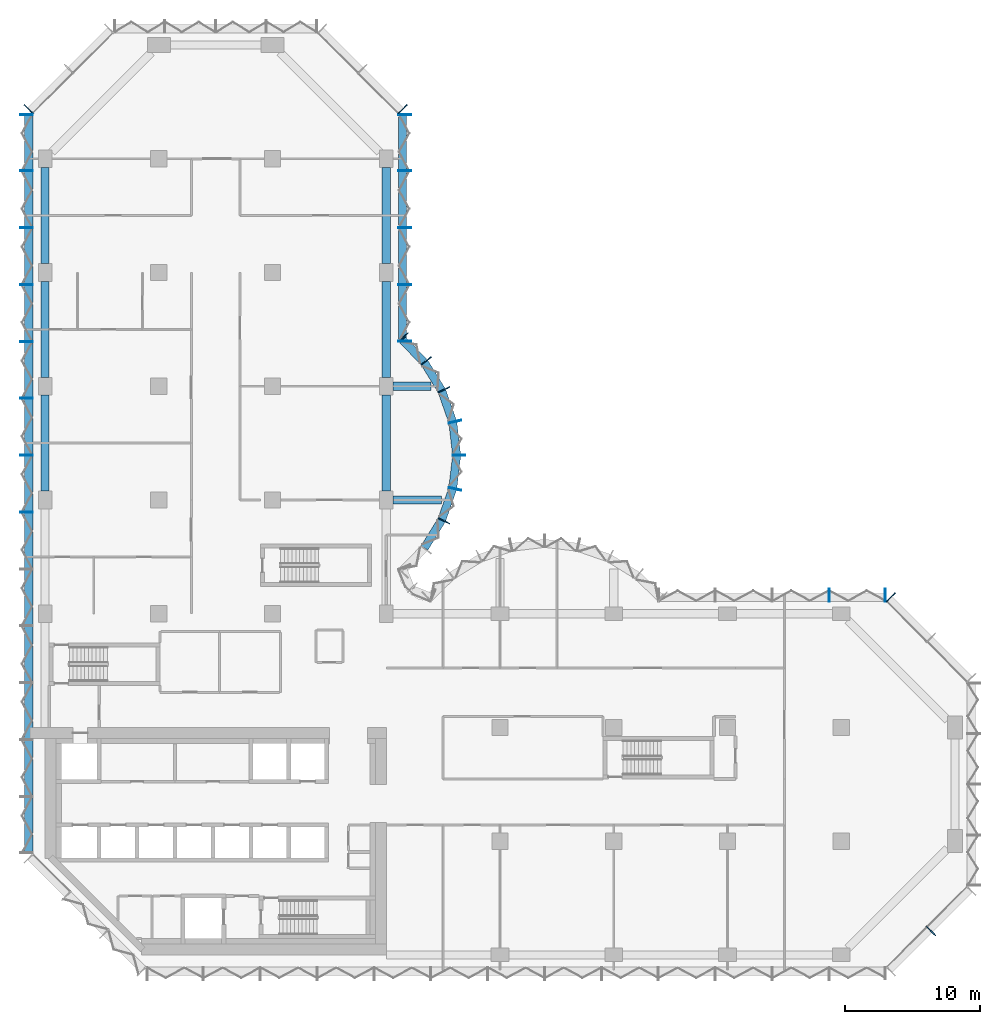
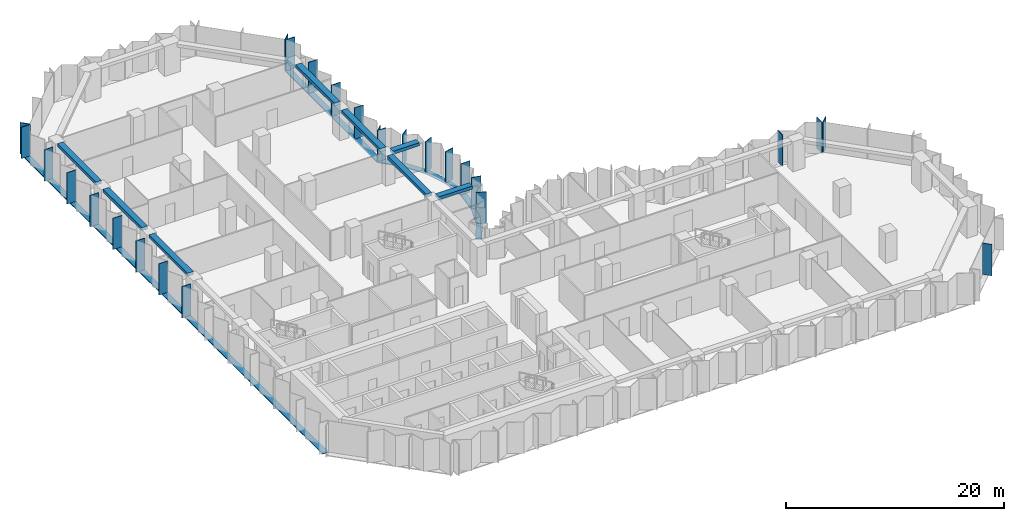
# One storey, part 3 of 13: 35 members, 8 beams, 8 elements without a shape of their own.
"""IFC4 building model written with IfcOpenShell, lengths in metres."""

from ifc_helpers import new_model, si_unit, direction, frame, origin, origin_2d, place, context, subcontext, project, spatial, rectangle, extrude, material, material_profile, profile_set, type_object, element, aggregate, save


model = new_model("IFC4")

# Units and contexts
model_context = context("Model", 3, precision=1e-05, world=origin(), true_north=direction((0.0, 1.0)))
body_context = subcontext(model_context, "Body", "Model", "MODEL_VIEW")
ifc_project = project(units=[si_unit("LENGTHUNIT", "METRE"), si_unit("AREAUNIT", "SQUARE_METRE"), si_unit("VOLUMEUNIT", "CUBIC_METRE"), si_unit("PLANEANGLEUNIT", "RADIAN"), si_unit("MASSUNIT", "GRAM", prefix="KILO")], contexts=[model_context])

# Site, building, storey
site_placement = place(None, origin())
site = spatial("IfcSite", under=ifc_project, at=site_placement, CompositionType="ELEMENT")
building_placement = place(site_placement, origin())
building = spatial("IfcBuilding", under=site, at=building_placement, Name="Brevane Broadcast Tower", CompositionType="ELEMENT")
storey_placement = place(building_placement, frame((0.0, 0.0, 113.300048828125)))
storey = spatial("IfcBuildingStorey", under=building, at=storey_placement, Name="L27", CompositionType="ELEMENT", Elevation=113.300048828125)

# Curtain wall, member
ifc_material_1 = material(Name="Aluminium 6063-T6 bronze anodised", Category="aluminium")
curtain_wall_type = type_object("IfcCurtainWallType", Name="CW-1 curtain wall", PredefinedType="NOTDEFINED", material=ifc_material_1)
curtain_wall_1_placement = place(storey_placement, origin())
curtain_wall_1 = element("IfcCurtainWall", 1, at=curtain_wall_1_placement, inside=storey, type_object=curtain_wall_type, Name="CW-1 typical tilted unit L27 south-east chamfer", PredefinedType="NOTDEFINED")
ifc_material_profile_1 = material_profile(ifc_material_1, rectangle(XDim=0.949951171875, YDim=0.070068359375, at=origin_2d()), Name="RECT 70x950")
ifc_profile_set_1 = profile_set([ifc_material_profile_1], Name="Aluminium 6063-T6 bronze anodised")
member_type_1 = type_object("IfcMemberType", Name="CW-1 mullion 70x950", PredefinedType="MULLION", material=ifc_profile_set_1)
member_1_placement = place(storey_placement, frame((65.435791015625, 1.76416015625, -0.150146484375), z_axis=(0.0, 0.0, 1.0), x_axis=(-0.707106781187, 0.707106781187, 0.0)))
member_1 = element("IfcMember", 2, at=member_1_placement, type_object=member_type_1, Name="CW-1 mullion", PredefinedType="MULLION", context=body_context, shape_type="SweptSolid", body=[
    extrude(rectangle(XDim=0.949951171875, YDim=0.070068359375, at=origin_2d()), origin(), (0.0, 0.0, 1.0), 3.5),
])
aggregate(curtain_wall_1, [member_1])

curtain_wall_2_placement = place(storey_placement, origin())
curtain_wall_2 = element("IfcCurtainWall", 3, at=curtain_wall_2_placement, inside=storey, type_object=curtain_wall_type, Name="CW-1 typical tilted unit L27 north-east chamfer", PredefinedType="NOTDEFINED")
member_2_placement = place(storey_placement, frame((62.460693359375, 26.4111328125, -0.150146484375), z_axis=(0.0, 0.0, 1.0), x_axis=(-0.707106781187, -0.707106781187, 0.0)))
member_2 = element("IfcMember", 4, at=member_2_placement, type_object=member_type_1, Name="CW-1 mullion", PredefinedType="MULLION", context=body_context, shape_type="SweptSolid", body=[
    extrude(rectangle(XDim=0.949951171875, YDim=0.070068359375, at=origin_2d()), origin(), (0.0, 0.0, 1.0), 3.5),
])
aggregate(curtain_wall_2, [member_2])

# Curtain wall, members
curtain_wall_3_placement = place(storey_placement, origin())
curtain_wall_3 = element("IfcCurtainWall", 5, at=curtain_wall_3_placement, inside=storey, type_object=curtain_wall_type, Name="CW-1 typical tilted unit L27 east arm north face", PredefinedType="NOTDEFINED")
member_3_placement = place(storey_placement, frame((62.06494140625, 26.574951171875, -0.150146484375), z_axis=(0.0, 0.0, 1.0), x_axis=(0.0, -1.0, 0.0)))
member_3 = element("IfcMember", 6, at=member_3_placement, type_object=member_type_1, Name="CW-1 mullion", PredefinedType="MULLION", context=body_context, shape_type="SweptSolid", body=[
    extrude(rectangle(XDim=0.949951171875, YDim=0.070068359375, at=origin_2d()), origin(), (0.0, 0.0, 1.0), 3.5),
])
member_4_placement = place(storey_placement, frame((57.89990234375, 26.574951171875, -0.150146484375), z_axis=(0.0, 0.0, 1.0), x_axis=(0.0, -1.0, 0.0)))
member_4 = element("IfcMember", 7, at=member_4_placement, type_object=member_type_1, Name="CW-1 mullion", PredefinedType="MULLION", context=body_context, shape_type="SweptSolid", body=[
    extrude(rectangle(XDim=0.949951171875, YDim=0.070068359375, at=origin_2d()), origin(), (0.0, 0.0, 1.0), 3.5),
])
aggregate(curtain_wall_3, [member_3, member_4])

curtain_wall_4_placement = place(storey_placement, origin())
curtain_wall_4 = element("IfcCurtainWall", 8, at=curtain_wall_4_placement, inside=storey, type_object=curtain_wall_type, Name="CW-1 typical tilted unit L27 north bow", PredefinedType="NOTDEFINED")
member_5_placement = place(storey_placement, frame((29.4580078125, 32.05322265625, -0.150146484375), z_axis=(0.0, 0.0, 1.0), x_axis=(-0.902860508933, 0.429933601163, 0.0)))
member_5 = element("IfcMember", 9, at=member_5_placement, type_object=member_type_1, Name="CW-1 mullion", PredefinedType="MULLION", context=body_context, shape_type="SweptSolid", body=[
    extrude(rectangle(XDim=0.949951171875, YDim=0.070068359375, at=origin_2d()), origin(), (0.0, 0.0, 1.0), 3.5),
])
member_6_placement = place(storey_placement, frame((30.28076171875, 34.411865234375, -0.150146484375), z_axis=(0.0, 0.0, 1.0), x_axis=(-0.974403430594, 0.224806482215, 0.0)))
member_6 = element("IfcMember", 10, at=member_6_placement, type_object=member_type_1, Name="CW-1 mullion", PredefinedType="MULLION", context=body_context, shape_type="SweptSolid", body=[
    extrude(rectangle(XDim=0.949951171875, YDim=0.070068359375, at=origin_2d()), origin(), (0.0, 0.0, 1.0), 3.5),
])
member_7_placement = place(storey_placement, frame((30.574951171875, 36.89990234375, -0.150146484375), z_axis=(0.0, 0.0, 1.0), x_axis=(-1.0, 0.0, 0.0)))
member_7 = element("IfcMember", 11, at=member_7_placement, type_object=member_type_1, Name="CW-1 mullion", PredefinedType="MULLION", context=body_context, shape_type="SweptSolid", body=[
    extrude(rectangle(XDim=0.949951171875, YDim=0.070068359375, at=origin_2d()), origin(), (0.0, 0.0, 1.0), 3.5),
])
member_8_placement = place(storey_placement, frame((30.28076171875, 39.38818359375, -0.150146484375), z_axis=(0.0, 0.0, 1.0), x_axis=(-0.974403430594, -0.224806482215, 0.0)))
member_8 = element("IfcMember", 12, at=member_8_placement, type_object=member_type_1, Name="CW-1 mullion", PredefinedType="MULLION", context=body_context, shape_type="SweptSolid", body=[
    extrude(rectangle(XDim=0.949951171875, YDim=0.070068359375, at=origin_2d()), origin(), (0.0, 0.0, 1.0), 3.5),
])
member_9_placement = place(storey_placement, frame((29.4580078125, 41.746826171875, -0.150146484375), z_axis=(0.0, 0.0, 1.0), x_axis=(-0.902860508933, -0.429933601163, 0.0)))
member_9 = element("IfcMember", 13, at=member_9_placement, type_object=member_type_1, Name="CW-1 mullion", PredefinedType="MULLION", context=body_context, shape_type="SweptSolid", body=[
    extrude(rectangle(XDim=0.949951171875, YDim=0.070068359375, at=origin_2d()), origin(), (0.0, 0.0, 1.0), 3.5),
])
member_10_placement = place(storey_placement, frame((28.1455078125, 43.8720703125, -0.150146484375), z_axis=(0.0, 0.0, 1.0), x_axis=(-0.788706642853, -0.614769738617, 0.0)))
member_10 = element("IfcMember", 14, at=member_10_placement, type_object=member_type_1, Name="CW-1 mullion", PredefinedType="MULLION", context=body_context, shape_type="SweptSolid", body=[
    extrude(rectangle(XDim=0.949951171875, YDim=0.070068359375, at=origin_2d()), origin(), (0.0, 0.0, 1.0), 3.5),
])
member_11_placement = place(storey_placement, frame((26.465087890625, 45.60595703125, -0.150146484375), z_axis=(0.0, 0.0, 1.0), x_axis=(-0.717253872699, -0.696811941702, 0.0)))
member_11 = element("IfcMember", 15, at=member_11_placement, type_object=member_type_1, Name="CW-1 mullion", PredefinedType="MULLION", context=body_context, shape_type="SweptSolid", body=[
    extrude(rectangle(XDim=0.949951171875, YDim=0.070068359375, at=origin_2d()), origin(), (0.0, 0.0, 1.0), 3.5),
])

curtain_wall_5_placement = place(storey_placement, origin())
curtain_wall_5 = element("IfcCurtainWall", 16, at=curtain_wall_5_placement, inside=storey, type_object=curtain_wall_type, Name="CW-1 typical tilted unit L27 north arm east face", PredefinedType="NOTDEFINED")
member_12_placement = place(storey_placement, frame((26.574951171875, 45.3349609375, -0.150146484375), z_axis=(0.0, 0.0, 1.0), x_axis=(-1.0, 0.0, 0.0)))
member_12 = element("IfcMember", 17, at=member_12_placement, type_object=member_type_1, Name="CW-1 mullion", PredefinedType="MULLION", context=body_context, shape_type="SweptSolid", body=[
    extrude(rectangle(XDim=0.949951171875, YDim=0.070068359375, at=origin_2d()), origin(), (0.0, 0.0, 1.0), 3.5),
])
member_13_placement = place(storey_placement, frame((26.574951171875, 49.5, -0.150146484375), z_axis=(0.0, 0.0, 1.0), x_axis=(-1.0, 0.0, 0.0)))
member_13 = element("IfcMember", 18, at=member_13_placement, type_object=member_type_1, Name="CW-1 mullion", PredefinedType="MULLION", context=body_context, shape_type="SweptSolid", body=[
    extrude(rectangle(XDim=0.949951171875, YDim=0.070068359375, at=origin_2d()), origin(), (0.0, 0.0, 1.0), 3.5),
])
member_14_placement = place(storey_placement, frame((26.574951171875, 53.699951171875, -0.150146484375), z_axis=(0.0, 0.0, 1.0), x_axis=(-1.0, 0.0, 0.0)))
member_14 = element("IfcMember", 19, at=member_14_placement, type_object=member_type_1, Name="CW-1 mullion", PredefinedType="MULLION", context=body_context, shape_type="SweptSolid", body=[
    extrude(rectangle(XDim=0.949951171875, YDim=0.070068359375, at=origin_2d()), origin(), (0.0, 0.0, 1.0), 3.5),
])
member_15_placement = place(storey_placement, frame((26.574951171875, 57.89990234375, -0.150146484375), z_axis=(0.0, 0.0, 1.0), x_axis=(-1.0, 0.0, 0.0)))
member_15 = element("IfcMember", 20, at=member_15_placement, type_object=member_type_1, Name="CW-1 mullion", PredefinedType="MULLION", context=body_context, shape_type="SweptSolid", body=[
    extrude(rectangle(XDim=0.949951171875, YDim=0.070068359375, at=origin_2d()), origin(), (0.0, 0.0, 1.0), 3.5),
])
member_16_placement = place(storey_placement, frame((26.574951171875, 62.06494140625, -0.150146484375), z_axis=(0.0, 0.0, 1.0), x_axis=(-1.0, 0.0, 0.0)))
member_16 = element("IfcMember", 21, at=member_16_placement, type_object=member_type_1, Name="CW-1 mullion", PredefinedType="MULLION", context=body_context, shape_type="SweptSolid", body=[
    extrude(rectangle(XDim=0.949951171875, YDim=0.070068359375, at=origin_2d()), origin(), (0.0, 0.0, 1.0), 3.5),
])

# Curtain wall, member
curtain_wall_6_placement = place(storey_placement, origin())
curtain_wall_6 = element("IfcCurtainWall", 22, at=curtain_wall_6_placement, inside=storey, type_object=curtain_wall_type, Name="CW-1 typical tilted unit L27 north arm north-east chamfer", PredefinedType="NOTDEFINED")
member_17_placement = place(storey_placement, frame((26.4111328125, 62.460693359375, -0.150146484375), z_axis=(0.0, 0.0, 1.0), x_axis=(-0.707106781187, -0.707106781187, 0.0)))
member_17 = element("IfcMember", 23, at=member_17_placement, type_object=member_type_1, Name="CW-1 mullion", PredefinedType="MULLION", context=body_context, shape_type="SweptSolid", body=[
    extrude(rectangle(XDim=0.949951171875, YDim=0.070068359375, at=origin_2d()), origin(), (0.0, 0.0, 1.0), 3.5),
])
aggregate(curtain_wall_6, [member_17])

curtain_wall_7_placement = place(storey_placement, origin())
curtain_wall_7 = element("IfcCurtainWall", 24, at=curtain_wall_7_placement, inside=storey, type_object=curtain_wall_type, Name="CW-1 typical tilted unit L27 north-west chamfer", PredefinedType="NOTDEFINED")
member_18_placement = place(storey_placement, frame((-1.211181640625, 62.460693359375, -0.150146484375), z_axis=(0.0, 0.0, 1.0), x_axis=(0.707106781187, -0.707106781187, 0.0)))
member_18 = element("IfcMember", 25, at=member_18_placement, type_object=member_type_1, Name="CW-1 mullion", PredefinedType="MULLION", context=body_context, shape_type="SweptSolid", body=[
    extrude(rectangle(XDim=0.949951171875, YDim=0.070068359375, at=origin_2d()), origin(), (0.0, 0.0, 1.0), 3.5),
])
aggregate(curtain_wall_7, [member_18])

# Curtain wall, members
curtain_wall_8_placement = place(storey_placement, origin())
curtain_wall_8 = element("IfcCurtainWall", 26, at=curtain_wall_8_placement, inside=storey, type_object=curtain_wall_type, Name="CW-1 typical tilted unit L27 west face", PredefinedType="NOTDEFINED")
member_19_placement = place(storey_placement, frame((-1.375, 62.06494140625, -0.150146484375), z_axis=(0.0, 0.0, 1.0), x_axis=(1.0, 0.0, 0.0)))
member_19 = element("IfcMember", 27, at=member_19_placement, type_object=member_type_1, Name="CW-1 mullion", PredefinedType="MULLION", context=body_context, shape_type="SweptSolid", body=[
    extrude(rectangle(XDim=0.949951171875, YDim=0.070068359375, at=origin_2d()), origin(), (0.0, 0.0, 1.0), 3.5),
])
member_20_placement = place(storey_placement, frame((-1.375, 57.89990234375, -0.150146484375), z_axis=(0.0, 0.0, 1.0), x_axis=(1.0, 0.0, 0.0)))
member_20 = element("IfcMember", 28, at=member_20_placement, type_object=member_type_1, Name="CW-1 mullion", PredefinedType="MULLION", context=body_context, shape_type="SweptSolid", body=[
    extrude(rectangle(XDim=0.949951171875, YDim=0.070068359375, at=origin_2d()), origin(), (0.0, 0.0, 1.0), 3.5),
])
member_21_placement = place(storey_placement, frame((-1.375, 53.699951171875, -0.150146484375), z_axis=(0.0, 0.0, 1.0), x_axis=(1.0, 0.0, 0.0)))
member_21 = element("IfcMember", 29, at=member_21_placement, type_object=member_type_1, Name="CW-1 mullion", PredefinedType="MULLION", context=body_context, shape_type="SweptSolid", body=[
    extrude(rectangle(XDim=0.949951171875, YDim=0.070068359375, at=origin_2d()), origin(), (0.0, 0.0, 1.0), 3.5),
])
member_22_placement = place(storey_placement, frame((-1.375, 49.5, -0.150146484375), z_axis=(0.0, 0.0, 1.0), x_axis=(1.0, 0.0, 0.0)))
member_22 = element("IfcMember", 30, at=member_22_placement, type_object=member_type_1, Name="CW-1 mullion", PredefinedType="MULLION", context=body_context, shape_type="SweptSolid", body=[
    extrude(rectangle(XDim=0.949951171875, YDim=0.070068359375, at=origin_2d()), origin(), (0.0, 0.0, 1.0), 3.5),
])
member_23_placement = place(storey_placement, frame((-1.375, 45.300048828125, -0.150146484375), z_axis=(0.0, 0.0, 1.0), x_axis=(1.0, 0.0, 0.0)))
member_23 = element("IfcMember", 31, at=member_23_placement, type_object=member_type_1, Name="CW-1 mullion", PredefinedType="MULLION", context=body_context, shape_type="SweptSolid", body=[
    extrude(rectangle(XDim=0.949951171875, YDim=0.070068359375, at=origin_2d()), origin(), (0.0, 0.0, 1.0), 3.5),
])
member_24_placement = place(storey_placement, frame((-1.375, 41.10009765625, -0.150146484375), z_axis=(0.0, 0.0, 1.0), x_axis=(1.0, 0.0, 0.0)))
member_24 = element("IfcMember", 32, at=member_24_placement, type_object=member_type_1, Name="CW-1 mullion", PredefinedType="MULLION", context=body_context, shape_type="SweptSolid", body=[
    extrude(rectangle(XDim=0.949951171875, YDim=0.070068359375, at=origin_2d()), origin(), (0.0, 0.0, 1.0), 3.5),
])
member_25_placement = place(storey_placement, frame((-1.375, 36.89990234375, -0.150146484375), z_axis=(0.0, 0.0, 1.0), x_axis=(1.0, 0.0, 0.0)))
member_25 = element("IfcMember", 33, at=member_25_placement, type_object=member_type_1, Name="CW-1 mullion", PredefinedType="MULLION", context=body_context, shape_type="SweptSolid", body=[
    extrude(rectangle(XDim=0.949951171875, YDim=0.070068359375, at=origin_2d()), origin(), (0.0, 0.0, 1.0), 3.5),
])
member_26_placement = place(storey_placement, frame((-1.375, 32.699951171875, -0.150146484375), z_axis=(0.0, 0.0, 1.0), x_axis=(1.0, 0.0, 0.0)))
member_26 = element("IfcMember", 34, at=member_26_placement, type_object=member_type_1, Name="CW-1 mullion", PredefinedType="MULLION", context=body_context, shape_type="SweptSolid", body=[
    extrude(rectangle(XDim=0.949951171875, YDim=0.070068359375, at=origin_2d()), origin(), (0.0, 0.0, 1.0), 3.5),
])

# Member
ifc_material_profile_2 = material_profile(ifc_material_1, rectangle(XDim=0.60009765625, YDim=0.10009765625, at=origin_2d()), Name="RECT 100x600")
ifc_profile_set_2 = profile_set([ifc_material_profile_2], Name="Aluminium 6063-T6 bronze anodised")
member_type_2 = type_object("IfcMemberType", Name="CW-1 transom 100x600", PredefinedType="USERDEFINED", material=ifc_profile_set_2)
member_27_placement = place(storey_placement, frame((28.023193359375, 30.0576171875, -0.199951171875), z_axis=(0.525427766759, 0.850838211365, 0.0), x_axis=(-0.850838211365, 0.525427766759, 0.0)))
member_27 = element("IfcMember", 35, at=member_27_placement, type_object=member_type_2, Name="CW-1 transom", ObjectType="TRANSOM", PredefinedType="USERDEFINED", context=body_context, shape_type="SweptSolid", body=[
    extrude(rectangle(XDim=0.60009765625, YDim=0.10009765625, at=origin_2d()), origin(), (0.0, 0.0, 1.0), 2.394775390625),
])

member_28_placement = place(storey_placement, frame((29.314208984375, 32.163818359375, -0.199951171875), z_axis=(0.329378497041, 0.944197969542, 0.0), x_axis=(-0.944197969542, 0.329378497041, 0.0)))
member_28 = element("IfcMember", 36, at=member_28_placement, type_object=member_type_2, Name="CW-1 transom", ObjectType="TRANSOM", PredefinedType="USERDEFINED", context=body_context, shape_type="SweptSolid", body=[
    extrude(rectangle(XDim=0.60009765625, YDim=0.10009765625, at=origin_2d()), origin(), (0.0, 0.0, 1.0), 2.394775390625),
])

member_29_placement = place(storey_placement, frame((30.117431640625, 34.499755859375, -0.199951171875), z_axis=(0.117603307202, 0.993060653805, 0.0), x_axis=(-0.993060653805, 0.117603307202, 0.0)))
member_29 = element("IfcMember", 37, at=member_29_placement, type_object=member_type_2, Name="CW-1 transom", ObjectType="TRANSOM", PredefinedType="USERDEFINED", context=body_context, shape_type="SweptSolid", body=[
    extrude(rectangle(XDim=0.60009765625, YDim=0.10009765625, at=origin_2d()), origin(), (0.0, 0.0, 1.0), 2.397705078125),
])

member_30_placement = place(storey_placement, frame((30.3994140625, 36.9189453125, -0.199951171875), z_axis=(-0.117591417, 0.993062061831, 0.0), x_axis=(-0.993062061831, -0.117591417, 0.0)))
member_30 = element("IfcMember", 38, at=member_30_placement, type_object=member_type_2, Name="CW-1 transom", ObjectType="TRANSOM", PredefinedType="USERDEFINED", context=body_context, shape_type="SweptSolid", body=[
    extrude(rectangle(XDim=0.60009765625, YDim=0.10009765625, at=origin_2d()), origin(), (0.0, 0.0, 1.0), 2.39794921875),
])

member_31_placement = place(storey_placement, frame((30.10302734375, 39.375, -0.199951171875), z_axis=(-0.329378497041, 0.944197969542, 0.0), x_axis=(-0.944197969542, -0.329378497041, 0.0)))
member_31 = element("IfcMember", 39, at=member_31_placement, type_object=member_type_2, Name="CW-1 transom", ObjectType="TRANSOM", PredefinedType="USERDEFINED", context=body_context, shape_type="SweptSolid", body=[
    extrude(rectangle(XDim=0.60009765625, YDim=0.10009765625, at=origin_2d()), origin(), (0.0, 0.0, 1.0), 2.394775390625),
])

member_32_placement = place(storey_placement, frame((29.281494140625, 41.704833984375, -0.199951171875), z_axis=(-0.525473345162, 0.850810063131, 0.0), x_axis=(-0.850810063131, -0.525473345162, 0.0)))
member_32 = element("IfcMember", 40, at=member_32_placement, type_object=member_type_2, Name="CW-1 transom", ObjectType="TRANSOM", PredefinedType="USERDEFINED", context=body_context, shape_type="SweptSolid", body=[
    extrude(rectangle(XDim=0.60009765625, YDim=0.10009765625, at=origin_2d()), origin(), (0.0, 0.0, 1.0), 2.39453125),
])

member_33_placement = place(storey_placement, frame((27.974365234375, 43.800537109375, -0.199951171875), z_axis=(-0.696823999134, 0.71724215871, 0.0), x_axis=(-0.71724215871, -0.696823999134, 0.0)))
member_33 = element("IfcMember", 41, at=member_33_placement, type_object=member_type_2, Name="CW-1 transom", ObjectType="TRANSOM", PredefinedType="USERDEFINED", context=body_context, shape_type="SweptSolid", body=[
    extrude(rectangle(XDim=0.60009765625, YDim=0.10009765625, at=origin_2d()), origin(), (0.0, 0.0, 1.0), 2.247802734375),
])

aggregate(curtain_wall_4, [member_5, member_6, member_7, member_8, member_9, member_10, member_11, member_27, member_28, member_29, member_30, member_31, member_32, member_33])

member_34_placement = place(storey_placement, frame((26.39990234375, 45.300048828125, -0.199951171875), z_axis=(0.0, 1.0, 0.0), x_axis=(-1.0, 0.0, 0.0)))
member_34 = element("IfcMember", 42, at=member_34_placement, type_object=member_type_2, Name="CW-1 transom", ObjectType="TRANSOM", PredefinedType="USERDEFINED", context=body_context, shape_type="SweptSolid", body=[
    extrude(rectangle(XDim=0.60009765625, YDim=0.10009765625, at=origin_2d()), origin(), (0.0, 0.0, 1.0), 16.800048828125),
])

aggregate(curtain_wall_5, [member_12, member_13, member_14, member_15, member_16, member_34])

member_35_placement = place(storey_placement, frame((-1.199951171875, 62.10009765625, -0.199951171875), z_axis=(0.0, -1.0, 0.0), x_axis=(1.0, 0.0, 0.0)))
member_35 = element("IfcMember", 43, at=member_35_placement, type_object=member_type_2, Name="CW-1 transom", ObjectType="TRANSOM", PredefinedType="USERDEFINED", context=body_context, shape_type="SweptSolid", body=[
    extrude(rectangle(XDim=0.60009765625, YDim=0.10009765625, at=origin_2d()), origin(), (0.0, 0.0, 1.0), 54.60009765625),
])

aggregate(curtain_wall_8, [member_19, member_20, member_21, member_22, member_23, member_24, member_25, member_26, member_35])

# Beams
ifc_material_2 = material(Name="Concrete C40/50", Category="concrete")
ifc_material_profile_3 = material_profile(ifc_material_2, rectangle(XDim=0.60009765625, YDim=0.35009765625, at=origin_2d()), Name="RC 600x350")
ifc_profile_set_3 = profile_set([ifc_material_profile_3], Name="Concrete C40/50")
beam_type_1 = type_object("IfcBeamType", Name="RC BRACKET BEAM 600x350 C40/50", PredefinedType="BEAM", material=ifc_profile_set_3)
beam_1_placement = place(storey_placement, frame((25.699951171875, 33.60009765625, 3.175048828125), z_axis=(1.0, 0.0, 0.0), x_axis=(0.0, 1.0, 0.0)))
element("IfcBeam", 44, at=beam_1_placement, inside=storey, type_object=beam_type_1, Name="EB2 L27-1", PredefinedType="BEAM", context=body_context, shape_type="SweptSolid", body=[
    extrude(rectangle(XDim=0.60009765625, YDim=0.35009765625, at=origin_2d()), origin(), (0.0, 0.0, 1.0), 3.56201171875),
])
beam_2_placement = place(storey_placement, frame((25.699951171875, 42.0, 3.175048828125), z_axis=(1.0, 0.0, 0.0), x_axis=(0.0, 1.0, 0.0)))
element("IfcBeam", 45, at=beam_2_placement, inside=storey, type_object=beam_type_1, Name="EB2 L27-2", PredefinedType="BEAM", context=body_context, shape_type="SweptSolid", body=[
    extrude(rectangle(XDim=0.60009765625, YDim=0.35009765625, at=origin_2d()), origin(), (0.0, 0.0, 1.0), 2.8115234375),
])
ifc_material_profile_4 = material_profile(ifc_material_2, rectangle(XDim=0.60009765625, YDim=0.35009765625, at=origin_2d()), Name="RC 600x350")
ifc_profile_set_4 = profile_set([ifc_material_profile_4], Name="Concrete C40/50")
beam_type_2 = type_object("IfcBeamType", Name="RC SPANDREL BEAM 600x350 C40/50", PredefinedType="SPANDREL", material=ifc_profile_set_4)
for number, where, z_axis, x_axis, name in (
    (46, (25.199951171875, 34.25, 3.175048828125), (0.0, 1.0, 0.0), (-1.0, 0.0, 0.0), "EB1 L27-13"),
    (47, (25.199951171875, 42.64990234375, 3.175048828125), (0.0, 1.0, 0.0), (-1.0, 0.0, 0.0), "EB1 L27-14"),
):
    element("IfcBeam", number, at=place(storey_placement, frame(where, z_axis=z_axis, x_axis=x_axis)), inside=storey, type_object=beam_type_2, Name=name, PredefinedType="SPANDREL", context=body_context, shape_type="SweptSolid", body=[
        extrude(rectangle(XDim=0.60009765625, YDim=0.35009765625, at=origin_2d()), origin(), (0.0, 0.0, 1.0), 7.10009765625),
    ])
for number, where, z_axis, x_axis, name in (
    (48, (25.199951171875, 51.050048828125, 3.175048828125), (0.0, 1.0, 0.0), (-1.0, 0.0, 0.0), "EB1 L27-15"),
    (49, (0.0, 58.14990234375, 3.175048828125), (0.0, -1.0, 0.0), (1.0, 0.0, 0.0), "EB1 L27-19"),
):
    element("IfcBeam", number, at=place(storey_placement, frame(where, z_axis=z_axis, x_axis=x_axis)), inside=storey, type_object=beam_type_2, Name=name, PredefinedType="SPANDREL", context=body_context, shape_type="SweptSolid", body=[
        extrude(rectangle(XDim=0.60009765625, YDim=0.35009765625, at=origin_2d()), origin(), (0.0, 0.0, 1.0), 7.099853515625),
    ])
for number, where, z_axis, x_axis, name in (
    (50, (0.0, 49.75, 3.175048828125), (0.0, -1.0, 0.0), (1.0, 0.0, 0.0), "EB1 L27-20"),
    (51, (0.0, 41.35009765625, 3.175048828125), (0.0, -1.0, 0.0), (1.0, 0.0, 0.0), "EB1 L27-21"),
):
    element("IfcBeam", number, at=place(storey_placement, frame(where, z_axis=z_axis, x_axis=x_axis)), inside=storey, type_object=beam_type_2, Name=name, PredefinedType="SPANDREL", context=body_context, shape_type="SweptSolid", body=[
        extrude(rectangle(XDim=0.60009765625, YDim=0.35009765625, at=origin_2d()), origin(), (0.0, 0.0, 1.0), 7.10009765625),
    ])

save(model, "model.ifc")
